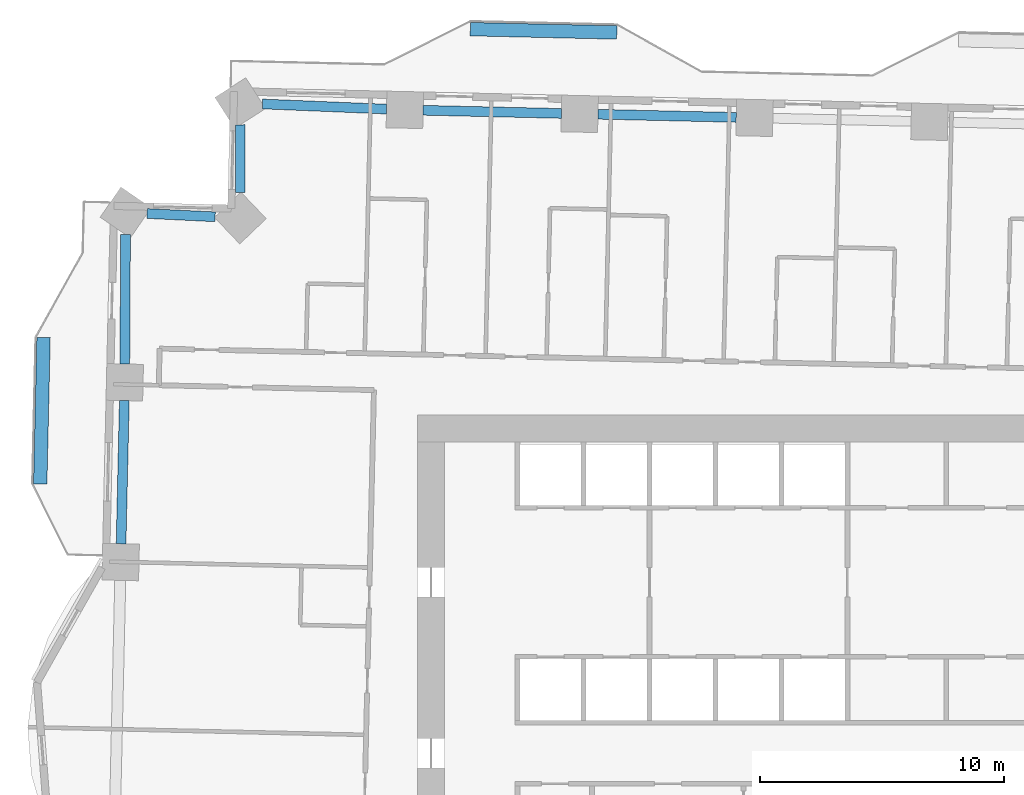
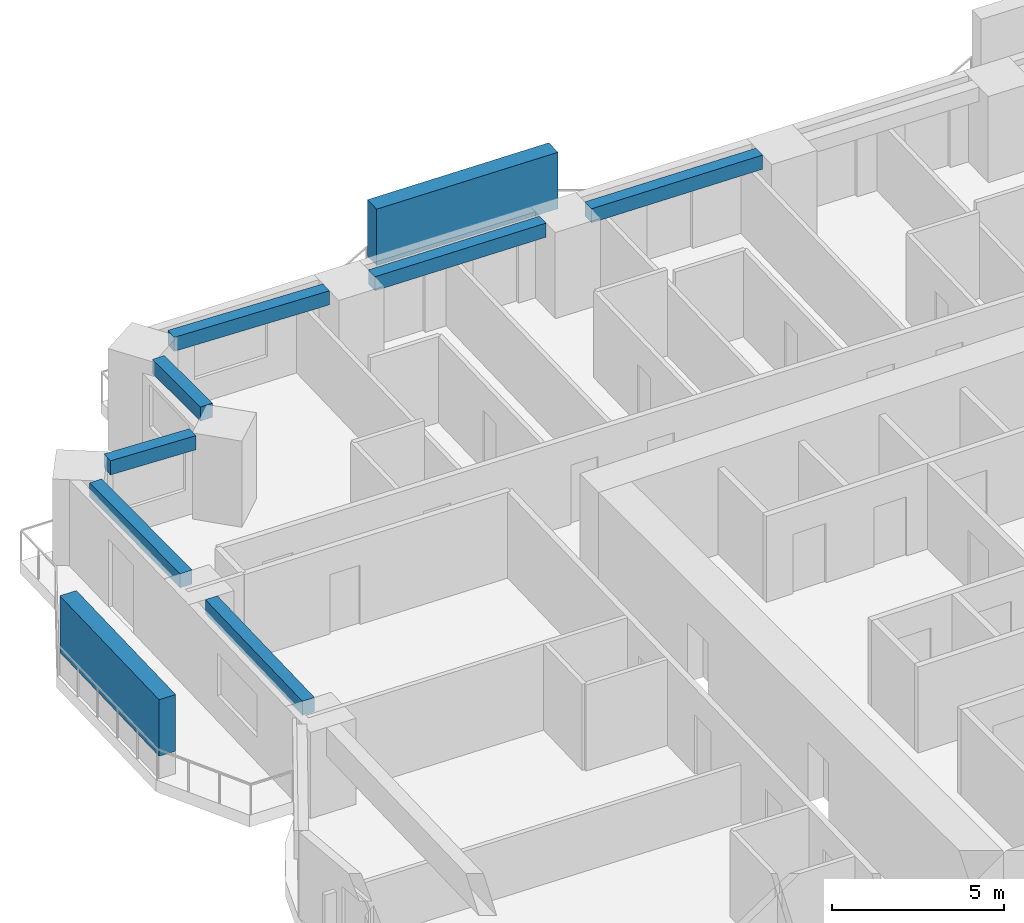
# One storey, part 3 of 20: 7 beams, 2 members.
"""IFC4 building model written with IfcOpenShell, lengths in metres."""

from ifc_helpers import new_model, si_unit, direction, frame, origin, origin_2d, place, context, subcontext, project, spatial, rectangle, extrude, material, material_profile, profile_set, type_object, element, save


model = new_model("IFC4")

# Units and contexts
model_context = context("Model", 3, precision=1e-05, world=origin(), true_north=direction((0.0, 1.0)))
body_context = subcontext(model_context, "Body", "Model", "MODEL_VIEW")
ifc_project = project(units=[si_unit("LENGTHUNIT", "METRE"), si_unit("AREAUNIT", "SQUARE_METRE"), si_unit("VOLUMEUNIT", "CUBIC_METRE"), si_unit("PLANEANGLEUNIT", "RADIAN"), si_unit("MASSUNIT", "GRAM", prefix="KILO")], contexts=[model_context])

# Site, building, storey
site_placement = place(None, origin())
site = spatial("IfcSite", under=ifc_project, at=site_placement, CompositionType="ELEMENT")
building_placement = place(site_placement, origin())
building = spatial("IfcBuilding", under=site, at=building_placement, Name="Mangrove Gate Tower", CompositionType="ELEMENT")
storey_placement = place(building_placement, frame((0.0, 0.0, 60.300048828125)))
storey = spatial("IfcBuildingStorey", under=building, at=storey_placement, Name="L14", CompositionType="ELEMENT", Elevation=60.300048828125)

# Members
ifc_material_1 = material(Name="Planting on aluminium trellis", Category="aluminium")
ifc_material_profile_1 = material_profile(ifc_material_1, rectangle(XDim=0.550048828125, YDim=2.0, at=origin_2d()))
ifc_profile_set_1 = profile_set([ifc_material_profile_1], Name="Planting on aluminium trellis")
member_type = type_object("IfcMemberType", Name="Balcony greenery screen 550x2000", PredefinedType="USERDEFINED", material=ifc_profile_set_1)
member_1_placement = place(storey_placement, frame((-12.738037109375, 27.697998046875, 1.800048828125), z_axis=(0.999743178102, -0.022662255828, 0.0), x_axis=(0.022662255828, 0.999743178102, 0.0)))
element("IfcMember", 1, at=member_1_placement, inside=storey, type_object=member_type, Name="GREEN SCREEN L14 N1.1", ObjectType="PLANTING", PredefinedType="USERDEFINED", context=body_context, shape_type="SweptSolid", body=[
    extrude(rectangle(XDim=0.550048828125, YDim=2.0, at=origin_2d()), origin(), (0.0, 0.0, 1.0), 6.00048828125),
])
member_2_placement = place(storey_placement, frame((-30.347900390625, 9.077880859375, 1.800048828125), z_axis=(0.022665943652, 0.999743094499, 0.0), x_axis=(-0.999743094499, 0.022665943652, 0.0)))
element("IfcMember", 2, at=member_2_placement, inside=storey, type_object=member_type, Name="GREEN SCREEN L14 W0.1", ObjectType="PLANTING", PredefinedType="USERDEFINED", context=body_context, shape_type="SweptSolid", body=[
    extrude(rectangle(XDim=0.550048828125, YDim=2.0, at=origin_2d()), origin(), (0.0, 0.0, 1.0), 5.99951171875),
])

# Beams
ifc_material_2 = material(Name="Concrete C50/60", Category="concrete")
ifc_material_profile_2 = material_profile(ifc_material_2, rectangle(XDim=0.39990234375, YDim=0.5, at=origin_2d()))
ifc_profile_set_2 = profile_set([ifc_material_profile_2], Name="Concrete C50/60")
beam_type = type_object("IfcBeamType", Name="Edge beam RC 400x500 C50/60", PredefinedType="BEAM", material=ifc_profile_set_2)
beam_1_placement = place(storey_placement, frame((-1.847900390625, 24.085205078125, 2.800048828125), z_axis=(-0.999744787315, 0.022591153933, 0.0), x_axis=(-0.022591153933, -0.999744787315, 0.0)))
element("IfcBeam", 3, at=beam_1_placement, inside=storey, type_object=beam_type, Name="Edge beam L14 26", PredefinedType="BEAM", context=body_context, shape_type="SweptSolid", body=[
    extrude(rectangle(XDim=0.39990234375, YDim=0.5, at=origin_2d()), origin(), (0.0, 0.0, 1.0), 5.662841796875),
])
beam_2_placement = place(storey_placement, frame((-9.0087890625, 24.247314453125, 2.800048828125), z_axis=(-0.999740788203, 0.022767441715, 0.0), x_axis=(-0.022767441715, -0.999740788203, 0.0)))
element("IfcBeam", 4, at=beam_2_placement, inside=storey, type_object=beam_type, Name="Edge beam L14 27", PredefinedType="BEAM", context=body_context, shape_type="SweptSolid", body=[
    extrude(rectangle(XDim=0.39990234375, YDim=0.5, at=origin_2d()), origin(), (0.0, 0.0, 1.0), 5.661865234375),
])
beam_3_placement = place(storey_placement, frame((-16.16845703125, 24.42431640625, 2.800048828125), z_axis=(-0.99914212499, 0.041412728362, 0.0), x_axis=(-0.041412728362, -0.99914212499, 0.0)))
element("IfcBeam", 5, at=beam_3_placement, inside=storey, type_object=beam_type, Name="Edge beam L14 28", PredefinedType="BEAM", context=body_context, shape_type="SweptSolid", body=[
    extrude(rectangle(XDim=0.39990234375, YDim=0.5, at=origin_2d()), origin(), (0.0, 0.0, 1.0), 5.081787109375),
])
beam_4_placement = place(storey_placement, frame((-22.15869140625, 23.78369140625, 2.800048828125), z_axis=(0.001315557536, -0.999999134654, 0.0), x_axis=(0.999999134654, 0.001315557536, 0.0)))
element("IfcBeam", 6, at=beam_4_placement, inside=storey, type_object=beam_type, Name="Edge beam L14 29", PredefinedType="BEAM", context=body_context, shape_type="SweptSolid", body=[
    extrude(rectangle(XDim=0.39990234375, YDim=0.5, at=origin_2d()), origin(), (0.0, 0.0, 1.0), 2.78369140625),
])
beam_5_placement = place(storey_placement, frame((-23.18701171875, 20.013916015625, 2.800048828125), z_axis=(-0.998830782294, 0.048343234706, 0.0), x_axis=(-0.048343234706, -0.998830782294, 0.0)))
element("IfcBeam", 7, at=beam_5_placement, inside=storey, type_object=beam_type, Name="Edge beam L14 30", PredefinedType="BEAM", context=body_context, shape_type="SweptSolid", body=[
    extrude(rectangle(XDim=0.39990234375, YDim=0.5, at=origin_2d()), origin(), (0.0, 0.0, 1.0), 2.78759765625),
])
beam_6_placement = place(storey_placement, frame((-26.85595703125, 19.285400390625, 2.800048828125), z_axis=(-0.005161697298, -0.999986678352, 0.0), x_axis=(0.999986678352, -0.005161697298, 0.0)))
element("IfcBeam", 8, at=beam_6_placement, inside=storey, type_object=beam_type, Name="Edge beam L14 31", PredefinedType="BEAM", context=body_context, shape_type="SweptSolid", body=[
    extrude(rectangle(XDim=0.39990234375, YDim=0.5, at=origin_2d()), origin(), (0.0, 0.0, 1.0), 5.29736328125),
])
beam_7_placement = place(storey_placement, frame((-26.904296875, 12.48828125, 2.800048828125), z_axis=(-0.022652355822, -0.999743402467, 0.0), x_axis=(0.999743402467, -0.022652355822, 0.0)))
element("IfcBeam", 9, at=beam_7_placement, inside=storey, type_object=beam_type, Name="Edge beam L14 32", PredefinedType="BEAM", context=body_context, shape_type="SweptSolid", body=[
    extrude(rectangle(XDim=0.39990234375, YDim=0.5, at=origin_2d()), origin(), (0.0, 0.0, 1.0), 5.863037109375),
])

save(model, "model.ifc")
